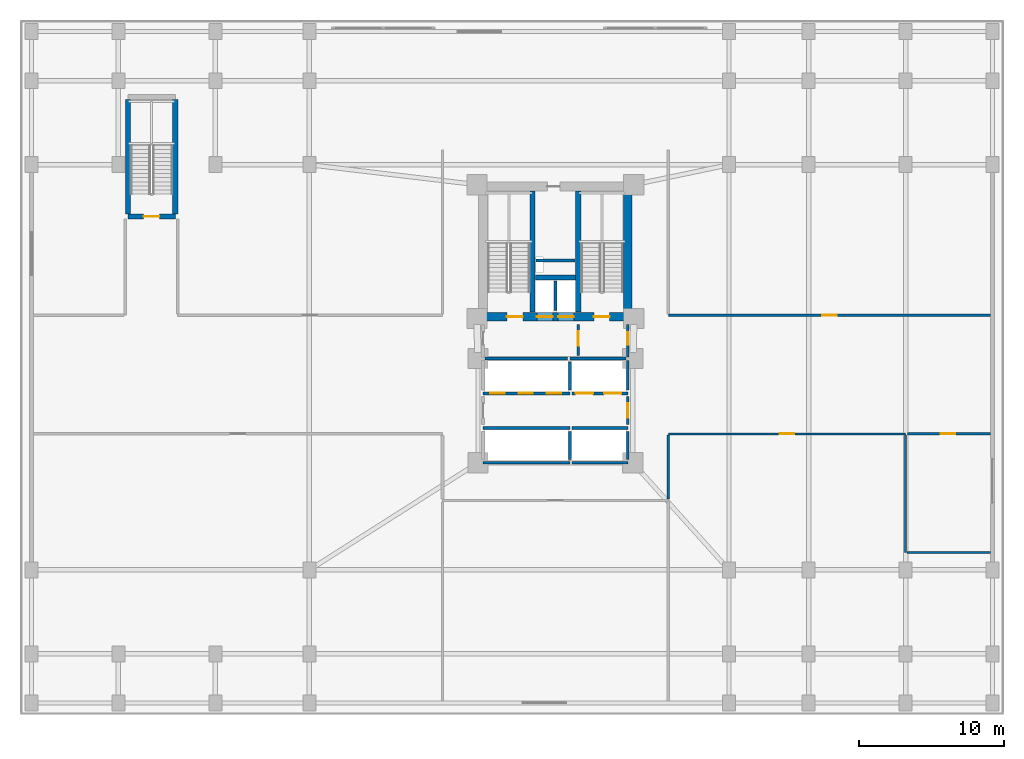
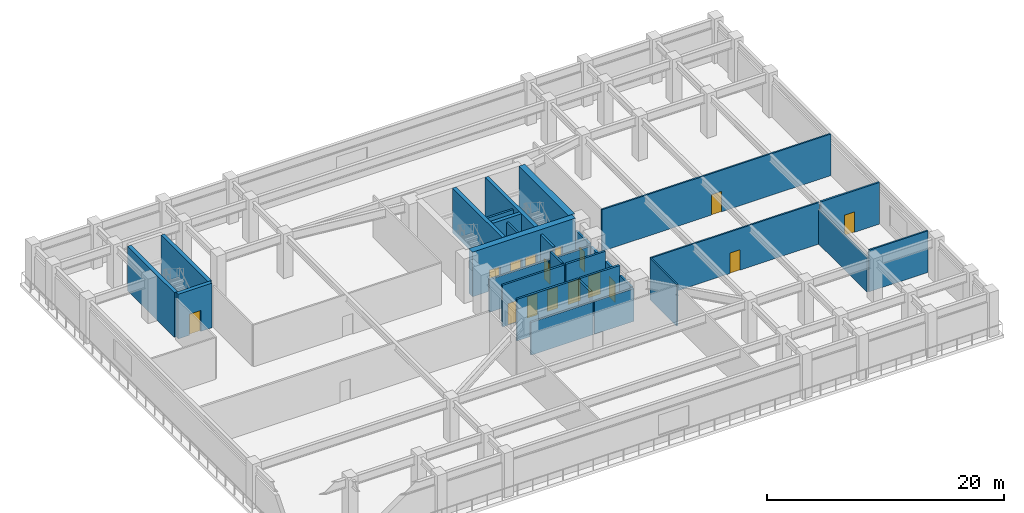
# One storey, part 8 of 12: 31 walls, 16 doors, 16 openings.
"""IFC4 building model written with IfcOpenShell, lengths in metres."""

from ifc_helpers import new_model, si_unit, direction, frame, frame_2d, origin, place, context, subcontext, project, spatial, rectangle, extrude, material, layer, layer_set, type_object, element, fill, save


model = new_model("IFC4")

# Units and contexts
model_context = context("Model", 3, precision=1e-05, world=origin(), true_north=direction((0.0, 1.0)))
body_context = subcontext(model_context, "Body", "Model", "MODEL_VIEW")
ifc_project = project(units=[si_unit("LENGTHUNIT", "METRE"), si_unit("AREAUNIT", "SQUARE_METRE"), si_unit("VOLUMEUNIT", "CUBIC_METRE"), si_unit("PLANEANGLEUNIT", "RADIAN"), si_unit("MASSUNIT", "GRAM", prefix="KILO")], contexts=[model_context])

# Site, building, storey
site_placement = place(None, origin())
site = spatial("IfcSite", under=ifc_project, at=site_placement, CompositionType="ELEMENT")
building_placement = place(site_placement, origin())
building = spatial("IfcBuilding", under=site, at=building_placement, Name="Varnakorn Sky Granary", CompositionType="ELEMENT")
storey_placement = place(building_placement, frame((0.0, 0.0, 4.60009765625)))
storey = spatial("IfcBuildingStorey", under=building, at=storey_placement, Name="L01", CompositionType="ELEMENT", Elevation=4.60009765625)

# Wall, opening, door
ifc_material_1 = material(Name="Concrete C50/60", Category="concrete")
ifc_layer_1 = layer(ifc_material_1, 0.35009765625, Name="Concrete C50/60")
ifc_layer_set_1 = layer_set([ifc_layer_1], Name="Concrete C50/60")
wall_type_1 = type_object("IfcWallType", Name="WT-CW-INT-350", PredefinedType="SHEAR", material=ifc_layer_set_1)
wall_1_placement = place(storey_placement, frame((-26.550048828125, 10.419921875, 0.0), z_axis=(0.0, 0.0, 1.0), x_axis=(1.0, 0.0, 0.0)))
wall_1 = element("IfcWall", 1, at=wall_1_placement, inside=storey, type_object=wall_type_1, Name="Podium Stair ST-B3 South Wall L01", PredefinedType="SHEAR", context=body_context, shape_type="SweptSolid", body=[
    extrude(rectangle(XDim=3.280029296875, YDim=0.35009765625, at=frame_2d((1.64013671875, 0.0))), origin(), (0.0, 0.0, 1.0), 4.591796875),
])
opening_1_placement = place(wall_1_placement, frame((1.090087890625, 0.0, 0.0)))
opening_1 = element("IfcOpeningElement", 2, at=opening_1_placement, cuts=wall_1, Name="Opening FD-90", PredefinedType="OPENING", context=body_context, shape_type="SweptSolid", body=[
    extrude(rectangle(XDim=1.10009765625, YDim=2.14990234375, at=frame_2d((0.550048828125, 1.074951171875))), frame((0.0, 0.18505859375, 0.0), z_axis=(0.0, -1.0, 0.0), x_axis=(1.0, 0.0, 0.0)), (0.0, 0.0, 1.0), 0.3701171875),
])
ifc_material_2 = material(Name="Galvanised Painted Steel Leaf", Category="steel")
door_type_1 = type_object("IfcDoorType", Name="DR-STAIR-1100", OperationType="NOTDEFINED", PredefinedType="DOOR", material=ifc_material_2)
door_1_placement = place(opening_1_placement, origin())
door_1 = element("IfcDoor", 3, at=door_1_placement, inside=storey, type_object=door_type_1, Name="Basement Stair ST-B3 Protected Fire Door L01", OperationType="SINGLE_SWING_LEFT", OverallHeight=2.14990234375, OverallWidth=1.10009765625, PredefinedType="DOOR", context=body_context, shape_type="SweptSolid", body=[
    extrude(rectangle(XDim=1.10009765625, YDim=2.14990234375, at=frame_2d((0.550048828125, 1.074951171875))), frame((0.0, 0.02490234375, 0.0), z_axis=(0.0, -1.0, 0.0), x_axis=(1.0, 0.0, 0.0)), (0.0, 0.0, 1.0), 0.050048828125),
])
fill(opening_1, door_1)

# Walls
for number, where, z_axis, x_axis, name in (
    (4, (-26.550048828125, 10.610107421875, 0.0), (0.0, 0.0, 1.0), (0.0, 1.0, 0.0), "Podium Stair ST-B3 West Wall L01"),
    (5, (-23.27001953125, 10.610107421875, 0.0), (0.0, 0.0, 1.0), (0.0, 1.0, 0.0), "Podium Stair ST-B3 East Wall L01"),
):
    element("IfcWall", number, at=place(storey_placement, frame(where, z_axis=z_axis, x_axis=x_axis)), inside=storey, type_object=wall_type_1, Name=name, PredefinedType="SHEAR", context=body_context, shape_type="SweptSolid", body=[
        extrude(rectangle(XDim=7.8798828125, YDim=0.35009765625, at=frame_2d((3.93994140625, 0.0))), origin(), (0.0, 0.0, 1.0), 4.591796875),
    ])
for number, where, z_axis, x_axis, name in (
    (6, (1.419921875, 3.81005859375, 0.0), (0.0, 0.0, 1.0), (0.0, 1.0, 0.0), "Stair ST-1 Core Wall L01"),
    (7, (4.580078125, 3.81005859375, 0.0), (0.0, 0.0, 1.0), (0.0, 1.0, 0.0), "Stair ST-2 Core Wall L01"),
):
    element("IfcWall", number, at=place(storey_placement, frame(where, z_axis=z_axis, x_axis=x_axis)), inside=storey, type_object=wall_type_1, Name=name, PredefinedType="SHEAR", context=body_context, shape_type="SweptSolid", body=[
        extrude(rectangle(XDim=8.3798828125, YDim=0.35009765625, at=frame_2d((4.18994140625, 0.0))), origin(), (0.0, 0.0, 1.0), 4.591796875),
    ])
wall_2_placement = place(storey_placement, frame((1.610107421875, 6.199951171875, 0.0), z_axis=(0.0, 0.0, 1.0), x_axis=(1.0, 0.0, 0.0)))
element("IfcWall", 8, at=wall_2_placement, inside=storey, type_object=wall_type_1, Name="Core Lift Shaft Cross Wall L01", PredefinedType="SHEAR", context=body_context, shape_type="SweptSolid", body=[
    extrude(rectangle(XDim=2.77978515625, YDim=0.35009765625, at=frame_2d((1.389892578125, 0.0))), origin(), (0.0, 0.0, 1.0), 4.591796875),
])

# Wall, openings, doors
ifc_material_3 = material(Name="Concrete C60/75", Category="concrete")
ifc_layer_2 = layer(ifc_material_3, 0.60009765625, Name="Concrete C60/75")
ifc_layer_set_2 = layer_set([ifc_layer_2], Name="Concrete C60/75")
wall_type_2 = type_object("IfcWallType", Name="WT-CW-SHEAR-600", PredefinedType="SHEAR", material=ifc_layer_set_2)
wall_3_placement = place(storey_placement, frame((-2.0, 3.5, 0.0), z_axis=(0.0, 0.0, 1.0), x_axis=(1.0, 0.0, 0.0)))
wall_3 = element("IfcWall", 9, at=wall_3_placement, inside=storey, type_object=wall_type_2, Name="Core South Shear Wall L01", PredefinedType="SHEAR", context=body_context, shape_type="SweptSolid", body=[
    extrude(rectangle(XDim=10.0, YDim=0.60009765625, at=frame_2d((5.0, 0.0))), origin(), (0.0, 0.0, 1.0), 4.591796875),
])
opening_2_placement = place(wall_3_placement, frame((1.64990234375, 0.0, 0.0)))
opening_2 = element("IfcOpeningElement", 10, at=opening_2_placement, cuts=wall_3, Name="Opening FD-90", PredefinedType="OPENING", context=body_context, shape_type="SweptSolid", body=[
    extrude(rectangle(XDim=1.10009765625, YDim=2.14990234375, at=frame_2d((0.550048828125, 1.074951171875))), frame((0.0, 0.31005859375, 0.0), z_axis=(0.0, -1.0, 0.0), x_axis=(1.0, 0.0, 0.0)), (0.0, 0.0, 1.0), 0.6201171875),
])
opening_3_placement = place(wall_3_placement, frame((7.64990234375, 0.0, 0.0)))
opening_3 = element("IfcOpeningElement", 11, at=opening_3_placement, cuts=wall_3, Name="Opening FD-90", PredefinedType="OPENING", context=body_context, shape_type="SweptSolid", body=[
    extrude(rectangle(XDim=1.10009765625, YDim=2.14990234375, at=frame_2d((0.550048828125, 1.074951171875))), frame((0.0, 0.31005859375, 0.0), z_axis=(0.0, -1.0, 0.0), x_axis=(1.0, 0.0, 0.0)), (0.0, 0.0, 1.0), 0.6201171875),
])
opening_4_placement = place(wall_3_placement, frame((3.719970703125, 0.0, 0.0)))
opening_4 = element("IfcOpeningElement", 12, at=opening_4_placement, cuts=wall_3, Name="Opening LD-01", PredefinedType="OPENING", context=body_context, shape_type="SweptSolid", body=[
    extrude(rectangle(XDim=1.10009765625, YDim=2.199951171875, at=frame_2d((0.550048828125, 1.10009765625))), frame((0.0, 0.31005859375, 0.0), z_axis=(0.0, -1.0, 0.0), x_axis=(1.0, 0.0, 0.0)), (0.0, 0.0, 1.0), 0.6201171875),
])
opening_5_placement = place(wall_3_placement, frame((5.179931640625, 0.0, 0.0)))
opening_5 = element("IfcOpeningElement", 13, at=opening_5_placement, cuts=wall_3, Name="Opening LD-01", PredefinedType="OPENING", context=body_context, shape_type="SweptSolid", body=[
    extrude(rectangle(XDim=1.10009765625, YDim=2.199951171875, at=frame_2d((0.550048828125, 1.10009765625))), frame((0.0, 0.31005859375, 0.0), z_axis=(0.0, -1.0, 0.0), x_axis=(1.0, 0.0, 0.0)), (0.0, 0.0, 1.0), 0.6201171875),
])
ifc_material_4 = material(Name="Brushed Bronze Stainless Steel", Category="steel")
door_type_2 = type_object("IfcDoorType", Name="DR-LD-1100", OperationType="DOUBLE_DOOR_SLIDING", PredefinedType="DOOR", material=ifc_material_4)
door_2_placement = place(opening_4_placement, origin())
door_2 = element("IfcDoor", 14, at=door_2_placement, inside=storey, type_object=door_type_2, Name="Firefighting Lift FFL-1 Landing Door L01", OperationType="DOUBLE_DOOR_SLIDING", OverallHeight=2.199951171875, OverallWidth=1.10009765625, PredefinedType="DOOR", context=body_context, shape_type="SweptSolid", body=[
    extrude(rectangle(XDim=1.10009765625, YDim=2.199951171875, at=frame_2d((0.550048828125, 1.10009765625))), frame((0.0, 0.02490234375, 0.0), z_axis=(0.0, -1.0, 0.0), x_axis=(1.0, 0.0, 0.0)), (0.0, 0.0, 1.0), 0.050048828125),
])
fill(opening_4, door_2)
door_3_placement = place(opening_5_placement, origin())
door_3 = element("IfcDoor", 15, at=door_3_placement, inside=storey, type_object=door_type_2, Name="Firefighting Lift FFL-2 Landing Door L01", OperationType="DOUBLE_DOOR_SLIDING", OverallHeight=2.199951171875, OverallWidth=1.10009765625, PredefinedType="DOOR", context=body_context, shape_type="SweptSolid", body=[
    extrude(rectangle(XDim=1.10009765625, YDim=2.199951171875, at=frame_2d((0.550048828125, 1.10009765625))), frame((0.0, 0.02490234375, 0.0), z_axis=(0.0, -1.0, 0.0), x_axis=(1.0, 0.0, 0.0)), (0.0, 0.0, 1.0), 0.050048828125),
])
fill(opening_5, door_3)
door_4_placement = place(opening_2_placement, origin())
door_4 = element("IfcDoor", 16, at=door_4_placement, inside=storey, type_object=door_type_1, Name="Stair ST-1 Protected Fire Door L01", OperationType="SINGLE_SWING_LEFT", OverallHeight=2.14990234375, OverallWidth=1.10009765625, PredefinedType="DOOR", context=body_context, shape_type="SweptSolid", body=[
    extrude(rectangle(XDim=1.10009765625, YDim=2.14990234375, at=frame_2d((0.550048828125, 1.074951171875))), frame((0.0, 0.02490234375, 0.0), z_axis=(0.0, -1.0, 0.0), x_axis=(1.0, 0.0, 0.0)), (0.0, 0.0, 1.0), 0.050048828125),
])
fill(opening_2, door_4)
door_5_placement = place(opening_3_placement, origin())
door_5 = element("IfcDoor", 17, at=door_5_placement, inside=storey, type_object=door_type_1, Name="Stair ST-2 Protected Fire Door L01", OperationType="SINGLE_SWING_RIGHT", OverallHeight=2.14990234375, OverallWidth=1.10009765625, PredefinedType="DOOR", context=body_context, shape_type="SweptSolid", body=[
    extrude(rectangle(XDim=1.10009765625, YDim=2.14990234375, at=frame_2d((0.550048828125, 1.074951171875))), frame((0.0, 0.02490234375, 0.0), z_axis=(0.0, -1.0, 0.0), x_axis=(1.0, 0.0, 0.0)), (0.0, 0.0, 1.0), 0.050048828125),
])
fill(opening_3, door_5)

# Wall
wall_4_placement = place(storey_placement, frame((8.0, 3.81005859375, 0.0), z_axis=(0.0, 0.0, 1.0), x_axis=(0.0, 1.0, 0.0)))
element("IfcWall", 18, at=wall_4_placement, inside=storey, type_object=wall_type_2, Name="Core East Shear Wall L01", PredefinedType="SHEAR", context=body_context, shape_type="SweptSolid", body=[
    extrude(rectangle(XDim=8.3798828125, YDim=0.60009765625, at=frame_2d((4.18994140625, 0.0))), origin(), (0.0, 0.0, 1.0), 4.591796875),
])

# Wall, opening, door
ifc_material_5 = material(Name="Autoclaved Aerated Concrete Blockwork", Category="masonry")
ifc_layer_3 = layer(ifc_material_5, 0.199951171875, Name="Autoclaved Aerated Concrete Blockwork")
ifc_layer_set_3 = layer_set([ifc_layer_3], Name="Autoclaved Aerated Concrete Blockwork")
wall_type_3 = type_object("IfcWallType", Name="WT-FIRE-200", PredefinedType="MOVABLE", material=ifc_layer_set_3)
wall_5_placement = place(storey_placement, frame((4.580078125, 0.830078125, 0.0), z_axis=(0.0, 0.0, 1.0), x_axis=(0.0, 1.0, 0.0)))
wall_5 = element("IfcWall", 19, at=wall_5_placement, inside=storey, type_object=wall_type_3, Name="Interior Partition Wall L01-016", PredefinedType="MOVABLE", context=body_context, shape_type="SweptSolid", body=[
    extrude(rectangle(XDim=2.139892578125, YDim=0.199951171875, at=frame_2d((1.06982421875, 0.0))), origin(), (0.0, 0.0, 1.0), 4.27978515625),
])
opening_6_placement = place(wall_5_placement, frame((0.659912109375, 0.0, 0.0)))
opening_6 = element("IfcOpeningElement", 20, at=opening_6_placement, cuts=wall_5, Name="Opening FD-60", PredefinedType="OPENING", context=body_context, shape_type="SweptSolid", body=[
    extrude(rectangle(XDim=1.0, YDim=2.10009765625, at=frame_2d((0.5, 1.050048828125))), frame((0.0, 0.10986328125, 0.0), z_axis=(0.0, -1.0, 0.0), x_axis=(1.0, 0.0, 0.0)), (0.0, 0.0, 1.0), 0.219970703125),
])
ifc_material_6 = material(Name="Acoustic Timber Fire Leaf", Category="wood")
door_type_3 = type_object("IfcDoorType", Name="DR-FD60-1000", OperationType="NOTDEFINED", PredefinedType="DOOR", material=ifc_material_6)
door_6_placement = place(opening_6_placement, origin())
door_6 = element("IfcDoor", 21, at=door_6_placement, inside=storey, type_object=door_type_3, Name="Interior Door L01-016-1", OperationType="SINGLE_SWING_RIGHT", OverallHeight=2.10009765625, OverallWidth=1.0, PredefinedType="DOOR", context=body_context, shape_type="SweptSolid", body=[
    extrude(rectangle(XDim=1.0, YDim=2.10009765625, at=frame_2d((0.5, 1.050048828125))), frame((0.0, 0.02490234375, 0.0), z_axis=(0.0, -1.0, 0.0), x_axis=(1.0, 0.0, 0.0)), (0.0, 0.0, 1.0), 0.050048828125),
])
fill(opening_6, door_6)

wall_6_placement = place(storey_placement, frame((8.0, 0.719970703125, 0.0), z_axis=(0.0, 0.0, 1.0), x_axis=(0.0, 1.0, 0.0)))
wall_6 = element("IfcWall", 22, at=wall_6_placement, inside=storey, type_object=wall_type_3, Name="Interior Partition Wall L01-018", PredefinedType="MOVABLE", context=body_context, shape_type="SweptSolid", body=[
    extrude(rectangle(XDim=2.25, YDim=0.199951171875, at=frame_2d((1.125, 0.0))), origin(), (0.0, 0.0, 1.0), 3.511962890625),
])
opening_7_placement = place(wall_6_placement, frame((0.844970703125, 0.0, 0.0)))
opening_7 = element("IfcOpeningElement", 23, at=opening_7_placement, cuts=wall_6, Name="Opening FD-60N", PredefinedType="OPENING", context=body_context, shape_type="SweptSolid", body=[
    extrude(rectangle(XDim=0.85009765625, YDim=2.10009765625, at=frame_2d((0.425048828125, 1.050048828125))), frame((0.0, 0.10986328125, 0.0), z_axis=(0.0, -1.0, 0.0), x_axis=(1.0, 0.0, 0.0)), (0.0, 0.0, 1.0), 0.219970703125),
])
door_type_4 = type_object("IfcDoorType", Name="DR-FD60-850", OperationType="NOTDEFINED", PredefinedType="DOOR", material=ifc_material_6)
door_7_placement = place(opening_7_placement, origin())
door_7 = element("IfcDoor", 24, at=door_7_placement, inside=storey, type_object=door_type_4, Name="Interior Door L01-018-1", OperationType="SINGLE_SWING_RIGHT", OverallHeight=2.10009765625, OverallWidth=0.85009765625, PredefinedType="DOOR", context=body_context, shape_type="SweptSolid", body=[
    extrude(rectangle(XDim=0.85009765625, YDim=2.10009765625, at=frame_2d((0.425048828125, 1.050048828125))), frame((0.0, 0.02490234375, 0.0), z_axis=(0.0, -1.0, 0.0), x_axis=(1.0, 0.0, 0.0)), (0.0, 0.0, 1.0), 0.050048828125),
])
fill(opening_7, door_7)

wall_7_placement = place(storey_placement, frame((8.0, -3.969970703125, 0.0), z_axis=(0.0, 0.0, 1.0), x_axis=(0.0, 1.0, 0.0)))
wall_7 = element("IfcWall", 25, at=wall_7_placement, inside=storey, type_object=wall_type_3, Name="Interior Partition Wall L01-020", PredefinedType="MOVABLE", context=body_context, shape_type="SweptSolid", body=[
    extrude(rectangle(XDim=1.93994140625, YDim=0.199951171875, at=frame_2d((0.969970703125, 0.0))), origin(), (0.0, 0.0, 1.0), 3.36181640625),
])
opening_8_placement = place(wall_7_placement, frame((0.469970703125, 0.0, 0.0)))
opening_8 = element("IfcOpeningElement", 26, at=opening_8_placement, cuts=wall_7, Name="Opening FD-60", PredefinedType="OPENING", context=body_context, shape_type="SweptSolid", body=[
    extrude(rectangle(XDim=1.0, YDim=2.10009765625, at=frame_2d((0.5, 1.050048828125))), frame((0.0, 0.10986328125, 0.0), z_axis=(0.0, -1.0, 0.0), x_axis=(1.0, 0.0, 0.0)), (0.0, 0.0, 1.0), 0.219970703125),
])
door_8_placement = place(opening_8_placement, origin())
door_8 = element("IfcDoor", 27, at=door_8_placement, inside=storey, type_object=door_type_3, Name="Interior Door L01-020-1", OperationType="SINGLE_SWING_RIGHT", OverallHeight=2.10009765625, OverallWidth=1.0, PredefinedType="DOOR", context=body_context, shape_type="SweptSolid", body=[
    extrude(rectangle(XDim=1.0, YDim=2.10009765625, at=frame_2d((0.5, 1.050048828125))), frame((0.0, 0.02490234375, 0.0), z_axis=(0.0, -1.0, 0.0), x_axis=(1.0, 0.0, 0.0)), (0.0, 0.0, 1.0), 0.050048828125),
])
fill(opening_8, door_8)

# Wall
wall_8_placement = place(storey_placement, frame((-1.8798828125, 0.60009765625, 0.0), z_axis=(0.0, 0.0, 1.0), x_axis=(1.0, 0.0, 0.0)))
element("IfcWall", 28, at=wall_8_placement, inside=storey, type_object=wall_type_3, Name="Interior Partition Wall L01-027", PredefinedType="MOVABLE", context=body_context, shape_type="SweptSolid", body=[
    extrude(rectangle(XDim=5.719970703125, YDim=0.199951171875, at=frame_2d((2.85986328125, 0.0))), origin(), (0.0, 0.0, 1.0), 3.36181640625),
])

# Wall, opening, door
ifc_material_7 = material(Name="Gypsum Plasterboard on Steel Stud", Category="steel")
ifc_layer_4 = layer(ifc_material_7, 0.14990234375, Name="Gypsum Plasterboard on Steel Stud")
ifc_layer_set_4 = layer_set([ifc_layer_4], Name="Gypsum Plasterboard on Steel Stud")
wall_type_4 = type_object("IfcWallType", Name="WT-PART-150", PredefinedType="PARTITIONING", material=ifc_layer_set_4)
wall_9_placement = place(storey_placement, frame((33.050048828125, 3.60009765625, 0.0), z_axis=(0.0, 0.0, 1.0), x_axis=(-1.0, 0.0, 0.0)))
wall_9 = element("IfcWall", 29, at=wall_9_placement, inside=storey, type_object=wall_type_4, Name="Interior Partition Wall L01-023", PredefinedType="PARTITIONING", context=body_context, shape_type="SweptSolid", body=[
    extrude(rectangle(XDim=22.25, YDim=0.14990234375, at=frame_2d((11.125, 0.0))), origin(), (0.0, 0.0, 1.0), 4.27978515625),
])
opening_9_placement = place(wall_9_placement, frame((10.625, 0.0, 0.0)))
opening_9 = element("IfcOpeningElement", 30, at=opening_9_placement, cuts=wall_9, Name="Opening ID-100", PredefinedType="OPENING", context=body_context, shape_type="SweptSolid", body=[
    extrude(rectangle(XDim=1.0, YDim=2.10009765625, at=frame_2d((0.5, 1.050048828125))), frame((0.0, 0.0849609375, 0.0), z_axis=(0.0, -1.0, 0.0), x_axis=(1.0, 0.0, 0.0)), (0.0, 0.0, 1.0), 0.169921875),
])
ifc_material_8 = material(Name="Solid-Core Teak Veneer Leaf", Category="timber")
door_type_5 = type_object("IfcDoorType", Name="DR-INT-1000", OperationType="NOTDEFINED", PredefinedType="DOOR", material=ifc_material_8)
door_9_placement = place(opening_9_placement, origin())
door_9 = element("IfcDoor", 31, at=door_9_placement, inside=storey, type_object=door_type_5, Name="Interior Door L01-023-1", OperationType="SINGLE_SWING_LEFT", OverallHeight=2.10009765625, OverallWidth=1.0, PredefinedType="DOOR", context=body_context, shape_type="SweptSolid", body=[
    extrude(rectangle(XDim=1.0, YDim=2.10009765625, at=frame_2d((0.5, 1.050048828125))), frame((0.0, 0.02490234375, 0.0), z_axis=(0.0, -1.0, 0.0), x_axis=(1.0, 0.0, 0.0)), (0.0, 0.0, 1.0), 0.050048828125),
])
fill(opening_9, door_9)

wall_10_placement = place(storey_placement, frame((10.800048828125, -4.60009765625, 0.0), z_axis=(0.0, 0.0, 1.0), x_axis=(1.0, 0.0, 0.0)))
wall_10 = element("IfcWall", 32, at=wall_10_placement, inside=storey, type_object=wall_type_4, Name="Interior Partition Wall L01-024", PredefinedType="PARTITIONING", context=body_context, shape_type="SweptSolid", body=[
    extrude(rectangle(XDim=16.39990234375, YDim=0.14990234375, at=frame_2d((8.199951171875, 0.0))), origin(), (0.0, 0.0, 1.0), 4.27978515625),
])
opening_10_placement = place(wall_10_placement, frame((7.699951171875, 0.0, 0.0)))
opening_10 = element("IfcOpeningElement", 33, at=opening_10_placement, cuts=wall_10, Name="Opening ID-100", PredefinedType="OPENING", context=body_context, shape_type="SweptSolid", body=[
    extrude(rectangle(XDim=1.0, YDim=2.10009765625, at=frame_2d((0.5, 1.050048828125))), frame((0.0, 0.0849609375, 0.0), z_axis=(0.0, -1.0, 0.0), x_axis=(1.0, 0.0, 0.0)), (0.0, 0.0, 1.0), 0.169921875),
])
door_10_placement = place(opening_10_placement, origin())
door_10 = element("IfcDoor", 34, at=door_10_placement, inside=storey, type_object=door_type_5, Name="Interior Door L01-024-1", OperationType="SINGLE_SWING_RIGHT", OverallHeight=2.10009765625, OverallWidth=1.0, PredefinedType="DOOR", context=body_context, shape_type="SweptSolid", body=[
    extrude(rectangle(XDim=1.0, YDim=2.10009765625, at=frame_2d((0.5, 1.050048828125))), frame((0.0, 0.02490234375, 0.0), z_axis=(0.0, -1.0, 0.0), x_axis=(1.0, 0.0, 0.0)), (0.0, 0.0, 1.0), 0.050048828125),
])
fill(opening_10, door_10)

# Walls
wall_11_placement = place(storey_placement, frame((10.800048828125, -9.114990234375, 0.0), z_axis=(0.0, 0.0, 1.0), x_axis=(0.0, 1.0, 0.0)))
element("IfcWall", 35, at=wall_11_placement, inside=storey, type_object=wall_type_4, Name="Interior Partition Wall L01-034", PredefinedType="PARTITIONING", context=body_context, shape_type="SweptSolid", body=[
    extrude(rectangle(XDim=4.429931640625, YDim=0.14990234375, at=frame_2d((2.21484375, 0.0))), origin(), (0.0, 0.0, 1.0), 4.27978515625),
])
wall_12_placement = place(storey_placement, frame((27.199951171875, -4.68505859375, 0.0), z_axis=(0.0, 0.0, 1.0), x_axis=(0.0, -1.0, 0.0)))
element("IfcWall", 36, at=wall_12_placement, inside=storey, type_object=wall_type_4, Name="Interior Partition Wall L01-036", PredefinedType="PARTITIONING", context=body_context, shape_type="SweptSolid", body=[
    extrude(rectangle(XDim=8.114990234375, YDim=0.14990234375, at=frame_2d((4.0576171875, 0.0))), origin(), (0.0, 0.0, 1.0), 3.56201171875),
])
wall_13_placement = place(storey_placement, frame((27.284912109375, -12.800048828125, 0.0), z_axis=(0.0, 0.0, 1.0), x_axis=(1.0, 0.0, 0.0)))
element("IfcWall", 37, at=wall_13_placement, inside=storey, type_object=wall_type_4, Name="Interior Partition Wall L01-037", PredefinedType="PARTITIONING", context=body_context, shape_type="SweptSolid", body=[
    extrude(rectangle(XDim=5.76513671875, YDim=0.14990234375, at=frame_2d((2.882568359375, 0.0))), origin(), (0.0, 0.0, 1.0), 4.27978515625),
])

# Wall, opening, door
ifc_material_9 = material(Name="Moisture-Resistant Gypsum on Stud", Category="gypsum")
ifc_layer_5 = layer(ifc_material_9, 0.179931640625, Name="Moisture-Resistant Gypsum on Stud")
ifc_layer_set_5 = layer_set([ifc_layer_5], Name="Moisture-Resistant Gypsum on Stud")
wall_type_5 = type_object("IfcWallType", Name="WT-PLUMB-180", PredefinedType="PLUMBINGWALL", material=ifc_layer_set_5)
wall_14_placement = place(storey_placement, frame((27.3349609375, -4.60009765625, 0.0), z_axis=(0.0, 0.0, 1.0), x_axis=(1.0, 0.0, 0.0)))
wall_14 = element("IfcWall", 38, at=wall_14_placement, inside=storey, type_object=wall_type_5, Name="Interior Partition Wall L01-025", PredefinedType="PLUMBINGWALL", context=body_context, shape_type="SweptSolid", body=[
    extrude(rectangle(XDim=5.715087890625, YDim=0.179931640625, at=frame_2d((2.857421875, 0.0))), origin(), (0.0, 0.0, 1.0), 4.27978515625),
])
opening_11_placement = place(wall_14_placement, frame((2.2900390625, 0.0, 0.0)))
opening_11 = element("IfcOpeningElement", 39, at=opening_11_placement, cuts=wall_14, Name="Opening ID-100", PredefinedType="OPENING", context=body_context, shape_type="SweptSolid", body=[
    extrude(rectangle(XDim=1.0, YDim=2.10009765625, at=frame_2d((0.5, 1.050048828125))), frame((0.0, 0.10009765625, 0.0), z_axis=(0.0, -1.0, 0.0), x_axis=(1.0, 0.0, 0.0)), (0.0, 0.0, 1.0), 0.199951171875),
])
door_11_placement = place(opening_11_placement, origin())
door_11 = element("IfcDoor", 40, at=door_11_placement, inside=storey, type_object=door_type_5, Name="Interior Door L01-025-1", OperationType="SINGLE_SWING_LEFT", OverallHeight=2.10009765625, OverallWidth=1.0, PredefinedType="DOOR", context=body_context, shape_type="SweptSolid", body=[
    extrude(rectangle(XDim=1.0, YDim=2.10009765625, at=frame_2d((0.5, 1.050048828125))), frame((0.0, 0.02490234375, 0.0), z_axis=(0.0, -1.0, 0.0), x_axis=(1.0, 0.0, 0.0)), (0.0, 0.0, 1.0), 0.050048828125),
])
fill(opening_11, door_11)

# Walls
ifc_layer_6 = layer(ifc_material_5, 0.199951171875, Name="Autoclaved Aerated Concrete Blockwork")
ifc_layer_set_6 = layer_set([ifc_layer_6], Name="Autoclaved Aerated Concrete Blockwork")
wall_type_6 = type_object("IfcWallType", Name="WT-SHAFT-200", PredefinedType="SOLIDWALL", material=ifc_layer_set_6)
wall_15_placement = place(storey_placement, frame((3.0, 3.919921875, 0.0), z_axis=(0.0, 0.0, 1.0), x_axis=(0.0, 1.0, 0.0)))
element("IfcWall", 41, at=wall_15_placement, inside=storey, type_object=wall_type_6, Name="Interior Partition Wall L01-001", PredefinedType="SOLIDWALL", context=body_context, shape_type="SweptSolid", body=[
    extrude(rectangle(XDim=2.030029296875, YDim=0.199951171875, at=frame_2d((1.01513671875, 0.0))), origin(), (0.0, 0.0, 1.0), 4.27978515625),
])
wall_16_placement = place(storey_placement, frame((1.64990234375, 7.3798828125, 0.0), z_axis=(0.0, 0.0, 1.0), x_axis=(1.0, 0.0, 0.0)))
element("IfcWall", 42, at=wall_16_placement, inside=storey, type_object=wall_type_6, Name="Interior Partition Wall L01-002", PredefinedType="SOLIDWALL", context=body_context, shape_type="SweptSolid", body=[
    extrude(rectangle(XDim=2.7001953125, YDim=0.199951171875, at=frame_2d((1.35009765625, 0.0))), origin(), (0.0, 0.0, 1.0), 4.27978515625),
])
wall_17_placement = place(storey_placement, frame((4.0, 0.60009765625, 0.0), z_axis=(0.0, 0.0, 1.0), x_axis=(1.0, 0.0, 0.0)))
element("IfcWall", 43, at=wall_17_placement, inside=storey, type_object=wall_type_6, Name="Interior Partition Wall L01-003", PredefinedType="SOLIDWALL", context=body_context, shape_type="SweptSolid", body=[
    extrude(rectangle(XDim=3.8798828125, YDim=0.199951171875, at=frame_2d((1.93994140625, 0.0))), origin(), (0.0, 0.0, 1.0), 3.36181640625),
])

# Wall, openings, doors
wall_18_placement = place(storey_placement, frame((-2.0, -1.800048828125, 0.0), z_axis=(0.0, 0.0, 1.0), x_axis=(1.0, 0.0, 0.0)))
wall_18 = element("IfcWall", 44, at=wall_18_placement, inside=storey, type_object=wall_type_6, Name="Interior Partition Wall L01-004", PredefinedType="SOLIDWALL", context=body_context, shape_type="SweptSolid", body=[
    extrude(rectangle(XDim=6.0, YDim=0.199951171875, at=frame_2d((3.0, 0.0))), origin(), (0.0, 0.0, 1.0), 4.27978515625),
])
opening_12_placement = place(wall_18_placement, frame((0.5, 0.0, 0.0)))
opening_12 = element("IfcOpeningElement", 45, at=opening_12_placement, cuts=wall_18, Name="Opening LD-03", PredefinedType="OPENING", context=body_context, shape_type="SweptSolid", body=[
    extrude(rectangle(XDim=1.0, YDim=2.199951171875, at=frame_2d((0.5, 1.10009765625))), frame((0.0, 0.10986328125, 0.0), z_axis=(0.0, -1.0, 0.0), x_axis=(1.0, 0.0, 0.0)), (0.0, 0.0, 1.0), 0.219970703125),
])
opening_13_placement = place(wall_18_placement, frame((2.449951171875, 0.0, 0.0)))
opening_13 = element("IfcOpeningElement", 46, at=opening_13_placement, cuts=wall_18, Name="Opening LD-03", PredefinedType="OPENING", context=body_context, shape_type="SweptSolid", body=[
    extrude(rectangle(XDim=1.0, YDim=2.199951171875, at=frame_2d((0.5, 1.10009765625))), frame((0.0, 0.10986328125, 0.0), z_axis=(0.0, -1.0, 0.0), x_axis=(1.0, 0.0, 0.0)), (0.0, 0.0, 1.0), 0.219970703125),
])
opening_14_placement = place(wall_18_placement, frame((4.39990234375, 0.0, 0.0)))
opening_14 = element("IfcOpeningElement", 47, at=opening_14_placement, cuts=wall_18, Name="Opening LD-03", PredefinedType="OPENING", context=body_context, shape_type="SweptSolid", body=[
    extrude(rectangle(XDim=1.0, YDim=2.199951171875, at=frame_2d((0.5, 1.10009765625))), frame((0.0, 0.10986328125, 0.0), z_axis=(0.0, -1.0, 0.0), x_axis=(1.0, 0.0, 0.0)), (0.0, 0.0, 1.0), 0.219970703125),
])
door_type_6 = type_object("IfcDoorType", Name="DR-LD-1000", OperationType="DOUBLE_DOOR_SLIDING", PredefinedType="DOOR", material=ifc_material_4)
door_12_placement = place(opening_12_placement, origin())
door_12 = element("IfcDoor", 48, at=door_12_placement, inside=storey, type_object=door_type_6, Name="Passenger Lift PL-L1 Sliding Landing Door L01", OperationType="DOUBLE_DOOR_SLIDING", OverallHeight=2.199951171875, OverallWidth=1.0, PredefinedType="DOOR", context=body_context, shape_type="SweptSolid", body=[
    extrude(rectangle(XDim=1.0, YDim=2.199951171875, at=frame_2d((0.5, 1.10009765625))), frame((0.0, 0.02490234375, 0.0), z_axis=(0.0, -1.0, 0.0), x_axis=(1.0, 0.0, 0.0)), (0.0, 0.0, 1.0), 0.050048828125),
])
fill(opening_12, door_12)
door_13_placement = place(opening_13_placement, origin())
door_13 = element("IfcDoor", 49, at=door_13_placement, inside=storey, type_object=door_type_6, Name="Passenger Lift PL-L2 Sliding Landing Door L01", OperationType="DOUBLE_DOOR_SLIDING", OverallHeight=2.199951171875, OverallWidth=1.0, PredefinedType="DOOR", context=body_context, shape_type="SweptSolid", body=[
    extrude(rectangle(XDim=1.0, YDim=2.199951171875, at=frame_2d((0.5, 1.10009765625))), frame((0.0, 0.02490234375, 0.0), z_axis=(0.0, -1.0, 0.0), x_axis=(1.0, 0.0, 0.0)), (0.0, 0.0, 1.0), 0.050048828125),
])
fill(opening_13, door_13)
door_14_placement = place(opening_14_placement, origin())
door_14 = element("IfcDoor", 50, at=door_14_placement, inside=storey, type_object=door_type_6, Name="Passenger Lift PL-L3 Sliding Landing Door L01", OperationType="DOUBLE_DOOR_SLIDING", OverallHeight=2.199951171875, OverallWidth=1.0, PredefinedType="DOOR", context=body_context, shape_type="SweptSolid", body=[
    extrude(rectangle(XDim=1.0, YDim=2.199951171875, at=frame_2d((0.5, 1.10009765625))), frame((0.0, 0.02490234375, 0.0), z_axis=(0.0, -1.0, 0.0), x_axis=(1.0, 0.0, 0.0)), (0.0, 0.0, 1.0), 0.050048828125),
])
fill(opening_14, door_14)

wall_19_placement = place(storey_placement, frame((4.159912109375, -1.800048828125, 0.0), z_axis=(0.0, 0.0, 1.0), x_axis=(1.0, 0.0, 0.0)))
wall_19 = element("IfcWall", 51, at=wall_19_placement, inside=storey, type_object=wall_type_6, Name="Interior Partition Wall L01-006", PredefinedType="SOLIDWALL", context=body_context, shape_type="SweptSolid", body=[
    extrude(rectangle(XDim=3.840087890625, YDim=0.199951171875, at=frame_2d((1.919921875, 0.0))), origin(), (0.0, 0.0, 1.0), 4.27978515625),
])
opening_15_placement = place(wall_19_placement, frame((0.239990234375, 0.0, 0.0)))
opening_15 = element("IfcOpeningElement", 52, at=opening_15_placement, cuts=wall_19, Name="Opening LD-02", PredefinedType="OPENING", context=body_context, shape_type="SweptSolid", body=[
    extrude(rectangle(XDim=1.199951171875, YDim=2.25, at=frame_2d((0.60009765625, 1.125))), frame((0.0, 0.10986328125, 0.0), z_axis=(0.0, -1.0, 0.0), x_axis=(1.0, 0.0, 0.0)), (0.0, 0.0, 1.0), 0.219970703125),
])
opening_16_placement = place(wall_19_placement, frame((2.199951171875, 0.0, 0.0)))
opening_16 = element("IfcOpeningElement", 53, at=opening_16_placement, cuts=wall_19, Name="Opening LD-02", PredefinedType="OPENING", context=body_context, shape_type="SweptSolid", body=[
    extrude(rectangle(XDim=1.199951171875, YDim=2.25, at=frame_2d((0.60009765625, 1.125))), frame((0.0, 0.10986328125, 0.0), z_axis=(0.0, -1.0, 0.0), x_axis=(1.0, 0.0, 0.0)), (0.0, 0.0, 1.0), 0.219970703125),
])
door_type_7 = type_object("IfcDoorType", Name="DR-LD-1200", OperationType="DOUBLE_DOOR_SLIDING", PredefinedType="DOOR", material=ifc_material_4)
door_15_placement = place(opening_15_placement, origin())
door_15 = element("IfcDoor", 54, at=door_15_placement, inside=storey, type_object=door_type_7, Name="Passenger Lift EL-OBS1 Sliding Landing Door L01", OperationType="DOUBLE_DOOR_SLIDING", OverallHeight=2.25, OverallWidth=1.199951171875, PredefinedType="DOOR", context=body_context, shape_type="SweptSolid", body=[
    extrude(rectangle(XDim=1.199951171875, YDim=2.25, at=frame_2d((0.60009765625, 1.125))), frame((0.0, 0.02490234375, 0.0), z_axis=(0.0, -1.0, 0.0), x_axis=(1.0, 0.0, 0.0)), (0.0, 0.0, 1.0), 0.050048828125),
])
fill(opening_15, door_15)
door_16_placement = place(opening_16_placement, origin())
door_16 = element("IfcDoor", 55, at=door_16_placement, inside=storey, type_object=door_type_7, Name="Passenger Lift EL-OBS2 Sliding Landing Door L01", OperationType="DOUBLE_DOOR_SLIDING", OverallHeight=2.25, OverallWidth=1.199951171875, PredefinedType="DOOR", context=body_context, shape_type="SweptSolid", body=[
    extrude(rectangle(XDim=1.199951171875, YDim=2.25, at=frame_2d((0.60009765625, 1.125))), frame((0.0, 0.02490234375, 0.0), z_axis=(0.0, -1.0, 0.0), x_axis=(1.0, 0.0, 0.0)), (0.0, 0.0, 1.0), 0.050048828125),
])
fill(opening_16, door_16)

# Walls
wall_20_placement = place(storey_placement, frame((4.0, -1.570068359375, 0.0), z_axis=(0.0, 0.0, 1.0), x_axis=(0.0, 1.0, 0.0)))
element("IfcWall", 56, at=wall_20_placement, inside=storey, type_object=wall_type_6, Name="Interior Partition Wall L01-007", PredefinedType="SOLIDWALL", context=body_context, shape_type="SweptSolid", body=[
    extrude(rectangle(XDim=1.940185546875, YDim=0.199951171875, at=frame_2d((0.97021484375, 0.0))), origin(), (0.0, 0.0, 1.0), 4.27978515625),
])
wall_21_placement = place(storey_placement, frame((8.0, -1.570068359375, 0.0), z_axis=(0.0, 0.0, 1.0), x_axis=(0.0, 1.0, 0.0)))
element("IfcWall", 57, at=wall_21_placement, inside=storey, type_object=wall_type_6, Name="Interior Partition Wall L01-008", PredefinedType="SOLIDWALL", context=body_context, shape_type="SweptSolid", body=[
    extrude(rectangle(XDim=2.050048828125, YDim=0.199951171875, at=frame_2d((1.02490234375, 0.0))), origin(), (0.0, 0.0, 1.0), 3.36181640625),
])
wall_22_placement = place(storey_placement, frame((-2.0, -4.199951171875, 0.0), z_axis=(0.0, 0.0, 1.0), x_axis=(1.0, 0.0, 0.0)))
element("IfcWall", 58, at=wall_22_placement, inside=storey, type_object=wall_type_6, Name="Interior Partition Wall L01-009", PredefinedType="SOLIDWALL", context=body_context, shape_type="SweptSolid", body=[
    extrude(rectangle(XDim=6.0, YDim=0.199951171875, at=frame_2d((3.0, 0.0))), origin(), (0.0, 0.0, 1.0), 4.27978515625),
])
wall_23_placement = place(storey_placement, frame((-2.0, -6.60009765625, 0.0), z_axis=(0.0, 0.0, 1.0), x_axis=(1.0, 0.0, 0.0)))
element("IfcWall", 59, at=wall_23_placement, inside=storey, type_object=wall_type_6, Name="Interior Partition Wall L01-010", PredefinedType="SOLIDWALL", context=body_context, shape_type="SweptSolid", body=[
    extrude(rectangle(XDim=6.0, YDim=0.199951171875, at=frame_2d((3.0, 0.0))), origin(), (0.0, 0.0, 1.0), 3.36181640625),
])
wall_24_placement = place(storey_placement, frame((4.159912109375, -4.199951171875, 0.0), z_axis=(0.0, 0.0, 1.0), x_axis=(1.0, 0.0, 0.0)))
element("IfcWall", 60, at=wall_24_placement, inside=storey, type_object=wall_type_6, Name="Interior Partition Wall L01-012", PredefinedType="SOLIDWALL", context=body_context, shape_type="SweptSolid", body=[
    extrude(rectangle(XDim=3.840087890625, YDim=0.199951171875, at=frame_2d((1.919921875, 0.0))), origin(), (0.0, 0.0, 1.0), 4.27978515625),
])
wall_25_placement = place(storey_placement, frame((4.159912109375, -6.60009765625, 0.0), z_axis=(0.0, 0.0, 1.0), x_axis=(1.0, 0.0, 0.0)))
element("IfcWall", 61, at=wall_25_placement, inside=storey, type_object=wall_type_6, Name="Interior Partition Wall L01-013", PredefinedType="SOLIDWALL", context=body_context, shape_type="SweptSolid", body=[
    extrude(rectangle(XDim=3.840087890625, YDim=0.199951171875, at=frame_2d((1.919921875, 0.0))), origin(), (0.0, 0.0, 1.0), 3.36181640625),
])
wall_26_placement = place(storey_placement, frame((4.0, -6.3701171875, 0.0), z_axis=(0.0, 0.0, 1.0), x_axis=(0.0, 1.0, 0.0)))
element("IfcWall", 62, at=wall_26_placement, inside=storey, type_object=wall_type_6, Name="Interior Partition Wall L01-014", PredefinedType="SOLIDWALL", context=body_context, shape_type="SweptSolid", body=[
    extrude(rectangle(XDim=1.940185546875, YDim=0.199951171875, at=frame_2d((0.97021484375, 0.0))), origin(), (0.0, 0.0, 1.0), 4.27978515625),
])
wall_27_placement = place(storey_placement, frame((8.0, -6.3701171875, 0.0), z_axis=(0.0, 0.0, 1.0), x_axis=(0.0, 1.0, 0.0)))
element("IfcWall", 63, at=wall_27_placement, inside=storey, type_object=wall_type_6, Name="Interior Partition Wall L01-015", PredefinedType="SOLIDWALL", context=body_context, shape_type="SweptSolid", body=[
    extrude(rectangle(XDim=1.940185546875, YDim=0.199951171875, at=frame_2d((0.97021484375, 0.0))), origin(), (0.0, 0.0, 1.0), 3.36181640625),
])

save(model, "model.ifc")
